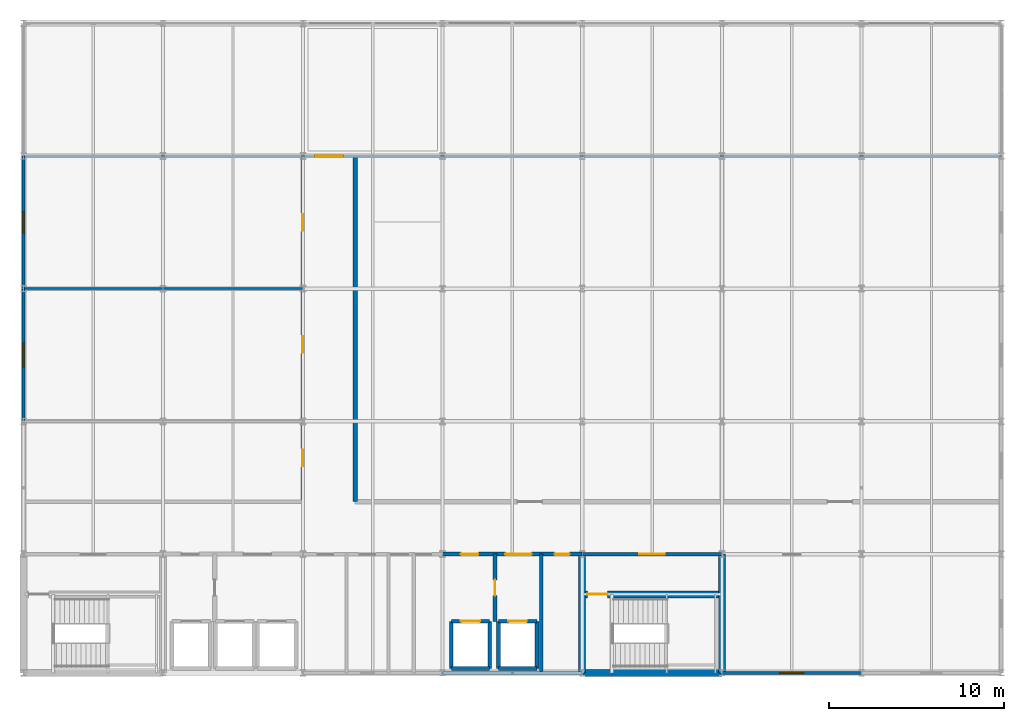
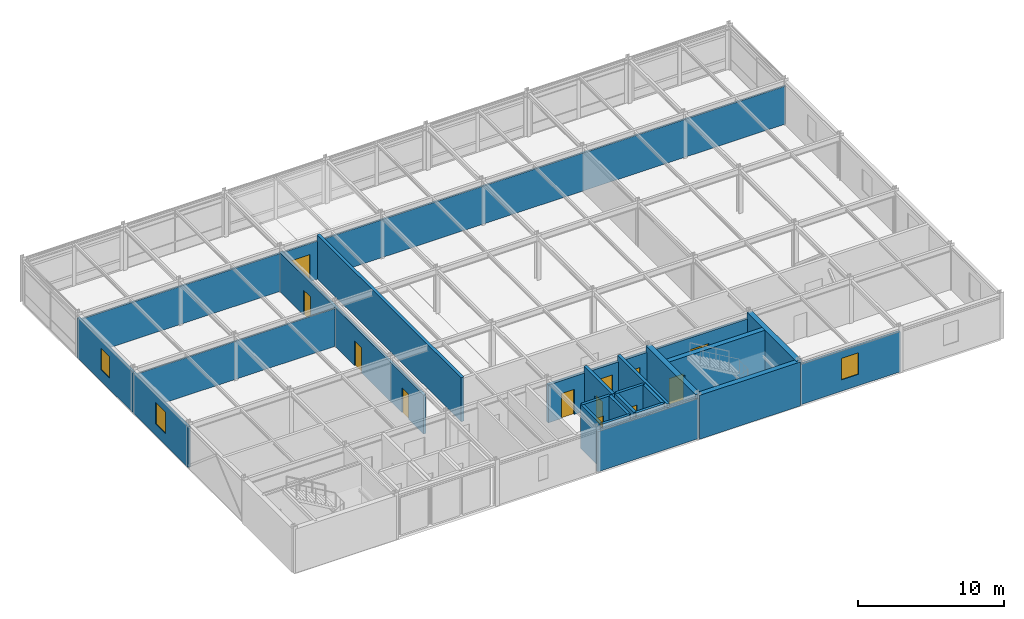
# One storey, part 14 of 16: 24 walls, 12 doors, 3 windows, 15 openings.
"""IFC4 building model written with IfcOpenShell, lengths in metres."""

from ifc_helpers import new_model, si_unit, direction, frame, frame_2d, origin, place, context, subcontext, project, spatial, rectangle, extrude, material, layer, layer_set, type_object, element, fill, save


model = new_model("IFC4")

# Units and contexts
model_context = context("Model", 3, precision=1e-05, world=origin(), true_north=direction((0.0, 1.0)))
body_context = subcontext(model_context, "Body", "Model", "MODEL_VIEW")
ifc_project = project(units=[si_unit("LENGTHUNIT", "METRE"), si_unit("AREAUNIT", "SQUARE_METRE"), si_unit("VOLUMEUNIT", "CUBIC_METRE"), si_unit("PLANEANGLEUNIT", "RADIAN"), si_unit("MASSUNIT", "GRAM", prefix="KILO")], contexts=[model_context])

# Site, building, storey
site_placement = place(None, origin())
site = spatial("IfcSite", under=ifc_project, at=site_placement, CompositionType="ELEMENT")
building_placement = place(site_placement, origin())
building = spatial("IfcBuilding", under=site, at=building_placement, Name="Shalkamar Park Central Library", CompositionType="ELEMENT")
storey_placement = place(building_placement, frame((0.0, 0.0, 43.800048828125)))
storey = spatial("IfcBuildingStorey", under=building, at=storey_placement, Name="L11", CompositionType="ELEMENT", Elevation=43.800048828125)

# Wall, opening, door
ifc_material_1 = material(Name="Acoustic insulated reading partition", Category="masonry")
ifc_layer_1 = layer(ifc_material_1, 0.139892578125)
ifc_layer_set_1 = layer_set([ifc_layer_1], Name="AcousticPartition_140")
wall_type_1 = type_object("IfcWallType", Name="Acoustic Partition 140", PredefinedType="PARTITIONING", material=ifc_layer_set_1)
wall_1_placement = place(storey_placement, frame((165.0, 278.0, 0.0), z_axis=(0.0, 0.0, 1.0), x_axis=(1.0, 0.0, 0.0)))
wall_1 = element("IfcWall", 1, at=wall_1_placement, inside=storey, type_object=wall_type_1, Name="Interior Partition WL-INT-L11-018", PredefinedType="PARTITIONING", context=body_context, shape_type="SweptSolid", body=[
    extrude(rectangle(XDim=56.0, YDim=0.139892578125, at=frame_2d((28.0, 0.0))), origin(), (0.0, 0.0, 1.0), 3.177978515625),
])
opening_1_placement = place(wall_1_placement, frame((16.699951171875, 0.0, 0.0)))
opening_1 = element("IfcOpeningElement", 2, at=opening_1_placement, cuts=wall_1, Name="Opening DR-L11-018", PredefinedType="OPENING", context=body_context, shape_type="SweptSolid", body=[
    extrude(rectangle(XDim=1.60009765625, YDim=2.25, at=frame_2d((0.800048828125, 1.125))), frame((0.0, 0.0849609375, 0.0), z_axis=(0.0, -1.0, 0.0), x_axis=(1.0, 0.0, 0.0)), (0.0, 0.0, 1.0), 0.169677734375),
])
ifc_material_2 = material(Name="Steel S355", Category="steel")
door_type_1 = type_object("IfcDoorType", Name="Interior Door Double 1600x2250", OperationType="DOUBLE_DOOR_SINGLE_SWING", PredefinedType="DOOR", material=ifc_material_2)
door_1_placement = place(opening_1_placement, origin())
door_1 = element("IfcDoor", 3, at=door_1_placement, inside=storey, type_object=door_type_1, Name="L11 Scholarly Reading Room Portal", OperationType="DOUBLE_DOOR_SINGLE_SWING", OverallHeight=2.25, OverallWidth=1.60009765625, PredefinedType="DOOR", context=body_context, shape_type="SweptSolid", body=[
    extrude(rectangle(XDim=1.60009765625, YDim=2.25, at=frame_2d((0.800048828125, 1.125))), frame((0.0, 0.02490234375, 0.0), z_axis=(0.0, -1.0, 0.0), x_axis=(1.0, 0.0, 0.0)), (0.0, 0.0, 1.0), 0.050048828125),
])
fill(opening_1, door_1)

ifc_material_3 = material(Name="Reinforced fire-compartment masonry wall", Category="masonry")
ifc_layer_2 = layer(ifc_material_3, 0.239990234375)
ifc_layer_set_2 = layer_set([ifc_layer_2], Name="CompartmentWall_240")
wall_type_2 = type_object("IfcWallType", Name="Compartment Wall 240", PredefinedType="PARTITIONING", material=ifc_layer_set_2)
wall_2_placement = place(storey_placement, frame((192.0, 251.35009765625, 0.0), z_axis=(0.0, 0.0, 1.0), x_axis=(0.0, 1.0, 0.0)))
wall_2 = element("IfcWall", 4, at=wall_2_placement, inside=storey, type_object=wall_type_2, Name="Interior Partition WL-INT-L11-002", PredefinedType="PARTITIONING", context=body_context, shape_type="SweptSolid", body=[
    extrude(rectangle(XDim=3.849853515625, YDim=0.239990234375, at=frame_2d((1.9248046875, 0.0))), origin(), (0.0, 0.0, 1.0), 3.679931640625),
])
opening_2_placement = place(wall_2_placement, frame((1.47509765625, 0.0, 0.0)))
opening_2 = element("IfcOpeningElement", 5, at=opening_2_placement, cuts=wall_2, Name="Opening DR-L11-002", PredefinedType="OPENING", context=body_context, shape_type="SweptSolid", body=[
    extrude(rectangle(XDim=0.89990234375, YDim=2.10009765625, at=frame_2d((0.449951171875, 1.050048828125))), frame((0.0, 0.134765625, 0.0), z_axis=(0.0, -1.0, 0.0), x_axis=(1.0, 0.0, 0.0)), (0.0, 0.0, 1.0), 0.269775390625),
])
door_type_2 = type_object("IfcDoorType", Name="Fire Door Single 900x2100", OperationType="NOTDEFINED", PredefinedType="DOOR", material=ifc_material_2)
door_2_placement = place(opening_2_placement, origin())
door_2 = element("IfcDoor", 6, at=door_2_placement, inside=storey, type_object=door_type_2, Name="Fire Lobby Interconnect Door", OperationType="SINGLE_SWING_LEFT", OverallHeight=2.10009765625, OverallWidth=0.89990234375, PredefinedType="DOOR", context=body_context, shape_type="SweptSolid", body=[
    extrude(rectangle(XDim=0.89990234375, YDim=2.10009765625, at=frame_2d((0.449951171875, 1.050048828125))), frame((0.0, 0.02490234375, 0.0), z_axis=(0.0, -1.0, 0.0), x_axis=(1.0, 0.0, 0.0)), (0.0, 0.0, 1.0), 0.050048828125),
])
fill(opening_2, door_2)

# Wall, openings, doors
wall_3_placement = place(storey_placement, frame((189.0, 255.199951171875, 0.0), z_axis=(0.0, 0.0, 1.0), x_axis=(1.0, 0.0, 0.0)))
wall_3 = element("IfcWall", 7, at=wall_3_placement, inside=storey, type_object=wall_type_2, Name="Interior Partition WL-INT-L11-009", PredefinedType="PARTITIONING", context=body_context, shape_type="SweptSolid", body=[
    extrude(rectangle(XDim=8.0, YDim=0.239990234375, at=frame_2d((4.0, 0.0))), origin(), (0.0, 0.0, 1.0), 3.177978515625),
])
opening_3_placement = place(wall_3_placement, frame((1.050048828125, 0.0, 0.0)))
opening_3 = element("IfcOpeningElement", 8, at=opening_3_placement, cuts=wall_3, Name="Opening DR-L11-009", PredefinedType="OPENING", context=body_context, shape_type="SweptSolid", body=[
    extrude(rectangle(XDim=1.0, YDim=2.10009765625, at=frame_2d((0.5, 1.050048828125))), frame((0.0, 0.134765625, 0.0), z_axis=(0.0, -1.0, 0.0), x_axis=(1.0, 0.0, 0.0)), (0.0, 0.0, 1.0), 0.269775390625),
])
opening_4_placement = place(wall_3_placement, frame((3.60009765625, 0.0, 0.0)))
opening_4 = element("IfcOpeningElement", 9, at=opening_4_placement, cuts=wall_3, Name="Opening DR-L11-010", PredefinedType="OPENING", context=body_context, shape_type="SweptSolid", body=[
    extrude(rectangle(XDim=1.5, YDim=2.25, at=frame_2d((0.75, 1.125))), frame((0.0, 0.134765625, 0.0), z_axis=(0.0, -1.0, 0.0), x_axis=(1.0, 0.0, 0.0)), (0.0, 0.0, 1.0), 0.269775390625),
])
opening_5_placement = place(wall_3_placement, frame((6.425048828125, 0.0, 0.0)))
opening_5 = element("IfcOpeningElement", 10, at=opening_5_placement, cuts=wall_3, Name="Opening DR-L11-011", PredefinedType="OPENING", context=body_context, shape_type="SweptSolid", body=[
    extrude(rectangle(XDim=0.85009765625, YDim=2.10009765625, at=frame_2d((0.425048828125, 1.050048828125))), frame((0.0, 0.134765625, 0.0), z_axis=(0.0, -1.0, 0.0), x_axis=(1.0, 0.0, 0.0)), (0.0, 0.0, 1.0), 0.269775390625),
])
door_type_3 = type_object("IfcDoorType", Name="Fire Door Riser 850x2100", OperationType="NOTDEFINED", PredefinedType="DOOR", material=ifc_material_2)
door_3_placement = place(opening_5_placement, frame((0.85009765625, 0.0, 0.0), z_axis=(0.0, 0.0, 1.0), x_axis=(-1.0, 0.0, 0.0)))
door_3 = element("IfcDoor", 11, at=door_3_placement, inside=storey, type_object=door_type_3, Name="Mechanical Riser Access Door", OperationType="SINGLE_SWING_LEFT", OverallHeight=2.10009765625, OverallWidth=0.85009765625, PredefinedType="DOOR", context=body_context, shape_type="SweptSolid", body=[
    extrude(rectangle(XDim=0.85009765625, YDim=2.10009765625, at=frame_2d((0.425048828125, 1.050048828125))), frame((0.0, 0.02490234375, 0.0), z_axis=(0.0, -1.0, 0.0), x_axis=(1.0, 0.0, 0.0)), (0.0, 0.0, 1.0), 0.050048828125),
])
fill(opening_5, door_3)
door_type_4 = type_object("IfcDoorType", Name="Fire Door Single 1000x2100", OperationType="NOTDEFINED", PredefinedType="DOOR", material=ifc_material_2)
door_4_placement = place(opening_3_placement, frame((1.0, 0.0, 0.0), z_axis=(0.0, 0.0, 1.0), x_axis=(-1.0, 0.0, 0.0)))
door_4 = element("IfcDoor", 12, at=door_4_placement, inside=storey, type_object=door_type_4, Name="East Firefighting Lobby Door", OperationType="SINGLE_SWING_RIGHT", OverallHeight=2.10009765625, OverallWidth=1.0, PredefinedType="DOOR", context=body_context, shape_type="SweptSolid", body=[
    extrude(rectangle(XDim=1.0, YDim=2.10009765625, at=frame_2d((0.5, 1.050048828125))), frame((0.0, 0.02490234375, 0.0), z_axis=(0.0, -1.0, 0.0), x_axis=(1.0, 0.0, 0.0)), (0.0, 0.0, 1.0), 0.050048828125),
])
fill(opening_3, door_4)
door_type_5 = type_object("IfcDoorType", Name="Interior Door Double 1500x2250", OperationType="DOUBLE_DOOR_SINGLE_SWING", PredefinedType="DOOR", material=ifc_material_2)
door_5_placement = place(opening_4_placement, frame((1.5, 0.0, 0.0), z_axis=(0.0, 0.0, 1.0), x_axis=(-1.0, 0.0, 0.0)))
door_5 = element("IfcDoor", 13, at=door_5_placement, inside=storey, type_object=door_type_5, Name="East Lift Lobby Entrance", OperationType="DOUBLE_DOOR_SINGLE_SWING", OverallHeight=2.25, OverallWidth=1.5, PredefinedType="DOOR", context=body_context, shape_type="SweptSolid", body=[
    extrude(rectangle(XDim=1.5, YDim=2.25, at=frame_2d((0.75, 1.125))), frame((0.0, 0.02490234375, 0.0), z_axis=(0.0, -1.0, 0.0), x_axis=(1.0, 0.0, 0.0)), (0.0, 0.0, 1.0), 0.050048828125),
])
fill(opening_4, door_5)

# Wall
wall_4_placement = place(storey_placement, frame((184.0, 258.199951171875, 0.0), z_axis=(0.0, 0.0, 1.0), x_axis=(0.0, 1.0, 0.0)))
element("IfcWall", 14, at=wall_4_placement, inside=storey, type_object=wall_type_2, Name="Interior Partition WL-INT-L11-015", PredefinedType="PARTITIONING", context=body_context, shape_type="SweptSolid", body=[
    extrude(rectangle(XDim=19.800048828125, YDim=0.239990234375, at=frame_2d((9.89990234375, 0.0))), origin(), (0.0, 0.0, 1.0), 3.679931640625),
])

# Wall, opening, door
ifc_material_4 = material(Name="Fire-rated corridor partition wall", Category="masonry")
ifc_layer_3 = layer(ifc_material_4, 0.199951171875)
ifc_layer_set_3 = layer_set([ifc_layer_3], Name="CorridorFireWall_200")
wall_type_3 = type_object("IfcWallType", Name="Corridor Fire Wall 200", PredefinedType="PARTITIONING", material=ifc_layer_set_3)
wall_5_placement = place(storey_placement, frame((197.0, 255.199951171875, 0.0), z_axis=(0.0, 0.0, 1.0), x_axis=(1.0, 0.0, 0.0)))
wall_5 = element("IfcWall", 15, at=wall_5_placement, inside=storey, type_object=wall_type_3, Name="CORE-T2 Vestibule North Wall (L11)", PredefinedType="PARTITIONING", context=body_context, shape_type="SweptSolid", body=[
    extrude(rectangle(XDim=8.0, YDim=0.199951171875, at=frame_2d((4.0, 0.0))), origin(), (0.0, 0.0, 1.0), 3.177978515625),
])
opening_6_placement = place(wall_5_placement, frame((3.27490234375, 0.0, 0.0)))
opening_6 = element("IfcOpeningElement", 16, at=opening_6_placement, cuts=wall_5, Name="Opening DR-ST-T2-L11-VEST", PredefinedType="OPENING", context=body_context, shape_type="SweptSolid", body=[
    extrude(rectangle(XDim=1.449951171875, YDim=2.199951171875, at=frame_2d((0.72509765625, 1.10009765625))), frame((0.0, 0.11474609375, 0.0), z_axis=(0.0, -1.0, 0.0), x_axis=(1.0, 0.0, 0.0)), (0.0, 0.0, 1.0), 0.229736328125),
])
door_type_6 = type_object("IfcDoorType", Name="Stair Vestibule Door 1450x2200", OperationType="DOUBLE_DOOR_SINGLE_SWING", PredefinedType="DOOR", material=ifc_material_2)
door_6_placement = place(opening_6_placement, frame((1.449951171875, 0.0, 0.0), z_axis=(0.0, 0.0, 1.0), x_axis=(-1.0, 0.0, 0.0)))
door_6 = element("IfcDoor", 17, at=door_6_placement, inside=storey, type_object=door_type_6, Name="Protected Stair ST-T2 Vestibule Door (L11)", OperationType="DOUBLE_DOOR_SINGLE_SWING", OverallHeight=2.199951171875, OverallWidth=1.449951171875, PredefinedType="DOOR", context=body_context, shape_type="SweptSolid", body=[
    extrude(rectangle(XDim=1.449951171875, YDim=2.199951171875, at=frame_2d((0.72509765625, 1.10009765625))), frame((0.0, 0.02490234375, 0.0), z_axis=(0.0, -1.0, 0.0), x_axis=(1.0, 0.0, 0.0)), (0.0, 0.0, 1.0), 0.050048828125),
])
fill(opening_6, door_6)

# Wall, openings, doors
wall_6_placement = place(storey_placement, frame((181.0, 258.199951171875, 0.0), z_axis=(0.0, 0.0, 1.0), x_axis=(0.0, 1.0, 0.0)))
wall_6 = element("IfcWall", 18, at=wall_6_placement, inside=storey, type_object=wall_type_3, Name="Interior Partition WL-INT-L11-012", PredefinedType="PARTITIONING", context=body_context, shape_type="SweptSolid", body=[
    extrude(rectangle(XDim=19.800048828125, YDim=0.199951171875, at=frame_2d((9.89990234375, 0.0))), origin(), (0.0, 0.0, 1.0), 3.27783203125),
])
opening_7_placement = place(wall_6_placement, frame((2.02490234375, 0.0, 0.0)))
opening_7 = element("IfcOpeningElement", 19, at=opening_7_placement, cuts=wall_6, Name="Opening DR-L11-013", PredefinedType="OPENING", context=body_context, shape_type="SweptSolid", body=[
    extrude(rectangle(XDim=0.949951171875, YDim=2.10009765625, at=frame_2d((0.47509765625, 1.050048828125))), frame((0.0, 0.11474609375, 0.0), z_axis=(0.0, -1.0, 0.0), x_axis=(1.0, 0.0, 0.0)), (0.0, 0.0, 1.0), 0.229736328125),
])
opening_8_placement = place(wall_6_placement, frame((8.52490234375, 0.0, 0.0)))
opening_8 = element("IfcOpeningElement", 20, at=opening_8_placement, cuts=wall_6, Name="Opening DR-L11-014", PredefinedType="OPENING", context=body_context, shape_type="SweptSolid", body=[
    extrude(rectangle(XDim=0.949951171875, YDim=2.10009765625, at=frame_2d((0.47509765625, 1.050048828125))), frame((0.0, 0.11474609375, 0.0), z_axis=(0.0, -1.0, 0.0), x_axis=(1.0, 0.0, 0.0)), (0.0, 0.0, 1.0), 0.229736328125),
])
opening_9_placement = place(wall_6_placement, frame((15.52490234375, 0.0, 0.0)))
opening_9 = element("IfcOpeningElement", 21, at=opening_9_placement, cuts=wall_6, Name="Opening DR-L11-015", PredefinedType="OPENING", context=body_context, shape_type="SweptSolid", body=[
    extrude(rectangle(XDim=0.949951171875, YDim=2.10009765625, at=frame_2d((0.47509765625, 1.050048828125))), frame((0.0, 0.11474609375, 0.0), z_axis=(0.0, -1.0, 0.0), x_axis=(1.0, 0.0, 0.0)), (0.0, 0.0, 1.0), 0.229736328125),
])
door_type_7 = type_object("IfcDoorType", Name="Interior Door Single 950x2100", OperationType="NOTDEFINED", PredefinedType="DOOR", material=ifc_material_2)
door_7_placement = place(opening_7_placement, origin())
door_7 = element("IfcDoor", 22, at=door_7_placement, inside=storey, type_object=door_type_7, Name="L11 Study Suite 1 Door", OperationType="SINGLE_SWING_LEFT", OverallHeight=2.10009765625, OverallWidth=0.949951171875, PredefinedType="DOOR", context=body_context, shape_type="SweptSolid", body=[
    extrude(rectangle(XDim=0.949951171875, YDim=2.10009765625, at=frame_2d((0.47509765625, 1.050048828125))), frame((0.0, 0.02490234375, 0.0), z_axis=(0.0, -1.0, 0.0), x_axis=(1.0, 0.0, 0.0)), (0.0, 0.0, 1.0), 0.050048828125),
])
fill(opening_7, door_7)
door_8_placement = place(opening_8_placement, origin())
door_8 = element("IfcDoor", 23, at=door_8_placement, inside=storey, type_object=door_type_7, Name="L11 Study Suite 2 Door", OperationType="SINGLE_SWING_LEFT", OverallHeight=2.10009765625, OverallWidth=0.949951171875, PredefinedType="DOOR", context=body_context, shape_type="SweptSolid", body=[
    extrude(rectangle(XDim=0.949951171875, YDim=2.10009765625, at=frame_2d((0.47509765625, 1.050048828125))), frame((0.0, 0.02490234375, 0.0), z_axis=(0.0, -1.0, 0.0), x_axis=(1.0, 0.0, 0.0)), (0.0, 0.0, 1.0), 0.050048828125),
])
fill(opening_8, door_8)
door_9_placement = place(opening_9_placement, origin())
door_9 = element("IfcDoor", 24, at=door_9_placement, inside=storey, type_object=door_type_7, Name="L11 Study Suite 3 Door", OperationType="SINGLE_SWING_RIGHT", OverallHeight=2.10009765625, OverallWidth=0.949951171875, PredefinedType="DOOR", context=body_context, shape_type="SweptSolid", body=[
    extrude(rectangle(XDim=0.949951171875, YDim=2.10009765625, at=frame_2d((0.47509765625, 1.050048828125))), frame((0.0, 0.02490234375, 0.0), z_axis=(0.0, -1.0, 0.0), x_axis=(1.0, 0.0, 0.0)), (0.0, 0.0, 1.0), 0.050048828125),
])
fill(opening_9, door_9)

# Walls
ifc_material_5 = material(Name="Concrete C40/50", Category="concrete")
ifc_layer_4 = layer(ifc_material_5, 0.219970703125)
ifc_layer_set_4 = layer_set([ifc_layer_4], Name="Concrete C40/50")
wall_type_4 = type_object("IfcWallType", Name="Lift Hoistway Shear Wall 220", PredefinedType="SHEAR", material=ifc_layer_set_4)
wall_7_placement = place(storey_placement, frame((189.5, 248.64990234375, 0.0), z_axis=(0.0, 0.0, 1.0), x_axis=(1.0, 0.0, 0.0)))
element("IfcWall", 25, at=wall_7_placement, inside=storey, type_object=wall_type_4, Name="Lift FFL-02 Hoistway South Wall (L11)", PredefinedType="SHEAR", context=body_context, shape_type="SweptSolid", body=[
    extrude(rectangle(XDim=2.199951171875, YDim=0.219970703125, at=frame_2d((1.10009765625, 0.0))), origin(), (0.0, 0.0, 1.0), 3.679931640625),
])
for number, where, z_axis, x_axis, name in (
    (26, (189.5, 248.64990234375, 0.0), (0.0, 0.0, 1.0), (0.0, 1.0, 0.0), "Lift FFL-02 Hoistway West Wall (L11)"),
    (27, (191.699951171875, 248.64990234375, 0.0), (0.0, 0.0, 1.0), (0.0, 1.0, 0.0), "Lift FFL-02 Hoistway East Wall (L11)"),
):
    element("IfcWall", number, at=place(storey_placement, frame(where, z_axis=z_axis, x_axis=x_axis)), inside=storey, type_object=wall_type_4, Name=name, PredefinedType="SHEAR", context=body_context, shape_type="SweptSolid", body=[
        extrude(rectangle(XDim=2.7001953125, YDim=0.219970703125, at=frame_2d((1.35009765625, 0.0))), origin(), (0.0, 0.0, 1.0), 3.679931640625),
    ])

# Wall, opening, door
wall_8_placement = place(storey_placement, frame((189.5, 251.35009765625, 0.0), z_axis=(0.0, 0.0, 1.0), x_axis=(1.0, 0.0, 0.0)))
wall_8 = element("IfcWall", 28, at=wall_8_placement, inside=storey, type_object=wall_type_4, Name="Lift FFL-02 Hoistway Front Wall (L11)", PredefinedType="SHEAR", context=body_context, shape_type="SweptSolid", body=[
    extrude(rectangle(XDim=2.199951171875, YDim=0.219970703125, at=frame_2d((1.10009765625, 0.0))), origin(), (0.0, 0.0, 1.0), 3.679931640625),
])
opening_10_placement = place(wall_8_placement, frame((0.550048828125, 0.0, 0.0)))
opening_10 = element("IfcOpeningElement", 29, at=opening_10_placement, cuts=wall_8, Name="Opening LD-FFL-02-L11", PredefinedType="OPENING", context=body_context, shape_type="SweptSolid", body=[
    extrude(rectangle(XDim=1.10009765625, YDim=2.14990234375, at=frame_2d((0.550048828125, 1.074951171875))), frame((0.0, 0.125, 0.0), z_axis=(0.0, -1.0, 0.0), x_axis=(1.0, 0.0, 0.0)), (0.0, 0.0, 1.0), 0.249755859375),
])
door_type_8 = type_object("IfcDoorType", Name="Fire Lift Landing Door 1100x2150", OperationType="DOUBLE_DOOR_SLIDING", PredefinedType="USERDEFINED", material=ifc_material_2)
door_10_placement = place(opening_10_placement, origin())
door_10 = element("IfcDoor", 30, at=door_10_placement, inside=storey, type_object=door_type_8, Name="Lift FFL-02 Sliding Landing Door (L11)", ObjectType="SLIDING LANDING DOOR", OperationType="DOUBLE_DOOR_SLIDING", OverallHeight=2.14990234375, OverallWidth=1.10009765625, PredefinedType="USERDEFINED", context=body_context, shape_type="SweptSolid", body=[
    extrude(rectangle(XDim=1.10009765625, YDim=2.14990234375, at=frame_2d((0.550048828125, 1.074951171875))), frame((0.0, 0.02490234375, 0.0), z_axis=(0.0, -1.0, 0.0), x_axis=(1.0, 0.0, 0.0)), (0.0, 0.0, 1.0), 0.050048828125),
])
fill(opening_10, door_10)

# Walls
wall_9_placement = place(storey_placement, frame((192.199951171875, 248.64990234375, 0.0), z_axis=(0.0, 0.0, 1.0), x_axis=(1.0, 0.0, 0.0)))
element("IfcWall", 31, at=wall_9_placement, inside=storey, type_object=wall_type_4, Name="Lift LT-03 Hoistway South Wall (L11)", PredefinedType="SHEAR", context=body_context, shape_type="SweptSolid", body=[
    extrude(rectangle(XDim=2.199951171875, YDim=0.219970703125, at=frame_2d((1.10009765625, 0.0))), origin(), (0.0, 0.0, 1.0), 3.679931640625),
])
for number, where, z_axis, x_axis, name in (
    (32, (192.199951171875, 248.64990234375, 0.0), (0.0, 0.0, 1.0), (0.0, 1.0, 0.0), "Lift LT-03 Hoistway West Wall (L11)"),
    (33, (194.39990234375, 248.64990234375, 0.0), (0.0, 0.0, 1.0), (0.0, 1.0, 0.0), "Lift LT-03 Hoistway East Wall (L11)"),
):
    element("IfcWall", number, at=place(storey_placement, frame(where, z_axis=z_axis, x_axis=x_axis)), inside=storey, type_object=wall_type_4, Name=name, PredefinedType="SHEAR", context=body_context, shape_type="SweptSolid", body=[
        extrude(rectangle(XDim=2.7001953125, YDim=0.219970703125, at=frame_2d((1.35009765625, 0.0))), origin(), (0.0, 0.0, 1.0), 3.679931640625),
    ])

# Wall, opening, door
wall_10_placement = place(storey_placement, frame((192.199951171875, 251.35009765625, 0.0), z_axis=(0.0, 0.0, 1.0), x_axis=(1.0, 0.0, 0.0)))
wall_10 = element("IfcWall", 34, at=wall_10_placement, inside=storey, type_object=wall_type_4, Name="Lift LT-03 Hoistway Front Wall (L11)", PredefinedType="SHEAR", context=body_context, shape_type="SweptSolid", body=[
    extrude(rectangle(XDim=2.199951171875, YDim=0.219970703125, at=frame_2d((1.10009765625, 0.0))), origin(), (0.0, 0.0, 1.0), 3.679931640625),
])
opening_11_placement = place(wall_10_placement, frame((0.574951171875, 0.0, 0.0)))
opening_11 = element("IfcOpeningElement", 35, at=opening_11_placement, cuts=wall_10, Name="Opening LD-LT-03-L11", PredefinedType="OPENING", context=body_context, shape_type="SweptSolid", body=[
    extrude(rectangle(XDim=1.050048828125, YDim=2.14990234375, at=frame_2d((0.52490234375, 1.074951171875))), frame((0.0, 0.125, 0.0), z_axis=(0.0, -1.0, 0.0), x_axis=(1.0, 0.0, 0.0)), (0.0, 0.0, 1.0), 0.249755859375),
])
door_type_9 = type_object("IfcDoorType", Name="Passenger Lift Landing Door 1050x2150", OperationType="DOUBLE_DOOR_SLIDING", PredefinedType="USERDEFINED", material=ifc_material_2)
door_11_placement = place(opening_11_placement, origin())
door_11 = element("IfcDoor", 36, at=door_11_placement, inside=storey, type_object=door_type_9, Name="Lift LT-03 Sliding Landing Door (L11)", ObjectType="SLIDING LANDING DOOR", OperationType="DOUBLE_DOOR_SLIDING", OverallHeight=2.14990234375, OverallWidth=1.050048828125, PredefinedType="USERDEFINED", context=body_context, shape_type="SweptSolid", body=[
    extrude(rectangle(XDim=1.050048828125, YDim=2.14990234375, at=frame_2d((0.52490234375, 1.074951171875))), frame((0.0, 0.02490234375, 0.0), z_axis=(0.0, -1.0, 0.0), x_axis=(1.0, 0.0, 0.0)), (0.0, 0.0, 1.0), 0.050048828125),
])
fill(opening_11, door_11)

# Walls
ifc_material_6 = material(Name="Fire-rated shaft enclosure wall", Category="masonry")
ifc_layer_5 = layer(ifc_material_6, 0.219970703125)
ifc_layer_set_5 = layer_set([ifc_layer_5], Name="ShaftWall_220")
wall_type_5 = type_object("IfcWallType", Name="Shaft Wall 220", PredefinedType="PARTITIONING", material=ifc_layer_set_5)
wall_11_placement = place(storey_placement, frame((194.64990234375, 248.39990234375, 0.0), z_axis=(0.0, 0.0, 1.0), x_axis=(0.0, 1.0, 0.0)))
element("IfcWall", 37, at=wall_11_placement, inside=storey, type_object=wall_type_5, Name="Interior Partition WL-INT-L11-003", PredefinedType="PARTITIONING", context=body_context, shape_type="SweptSolid", body=[
    extrude(rectangle(XDim=6.800048828125, YDim=0.219970703125, at=frame_2d((3.39990234375, 0.0))), origin(), (0.0, 0.0, 1.0), 3.679931640625),
])
ifc_material_7 = material(Name="Lightweight acoustic stud partition", Category="masonry")
ifc_layer_6 = layer(ifc_material_7, 0.1201171875)
ifc_layer_set_6 = layer_set([ifc_layer_6], Name="StandardPartition_120")
wall_type_6 = type_object("IfcWallType", Name="Standard Partition 120", PredefinedType="PARTITIONING", material=ifc_layer_set_6)
wall_12_placement = place(storey_placement, frame((165.0, 270.39990234375, 0.0), z_axis=(0.0, 0.0, 1.0), x_axis=(1.0, 0.0, 0.0)))
element("IfcWall", 38, at=wall_12_placement, inside=storey, type_object=wall_type_6, Name="Interior Partition WL-INT-L11-014", PredefinedType="PARTITIONING", context=body_context, shape_type="SweptSolid", body=[
    extrude(rectangle(XDim=16.0, YDim=0.1201171875, at=frame_2d((8.0, 0.0))), origin(), (0.0, 0.0, 1.0), 3.177978515625),
])
ifc_layer_7 = layer(ifc_material_5, 0.39990234375)
ifc_layer_set_7 = layer_set([ifc_layer_7], Name="Concrete C40/50")
wall_type_7 = type_object("IfcWallType", Name="Tower Core Shear Wall 400", PredefinedType="SHEAR", material=ifc_layer_set_7)
wall_13_placement = place(storey_placement, frame((197.0, 248.39990234375, 0.0), z_axis=(0.0, 0.0, 1.0), x_axis=(1.0, 0.0, 0.0)))
element("IfcWall", 39, at=wall_13_placement, inside=storey, type_object=wall_type_7, Name="CORE-T2 South Shear Wall (L11)", PredefinedType="SHEAR", context=body_context, shape_type="SweptSolid", body=[
    extrude(rectangle(XDim=8.0, YDim=0.39990234375, at=frame_2d((4.0, 0.0))), origin(), (0.0, 0.0, 1.0), 3.679931640625),
])
for number, where, z_axis, x_axis, name in (
    (40, (197.0, 248.39990234375, 0.0), (0.0, 0.0, 1.0), (0.0, 1.0, 0.0), "CORE-T2 West Shear Wall (L11)"),
    (41, (205.0, 248.39990234375, 0.0), (0.0, 0.0, 1.0), (0.0, 1.0, 0.0), "CORE-T2 East Shear Wall (L11)"),
):
    element("IfcWall", number, at=place(storey_placement, frame(where, z_axis=z_axis, x_axis=x_axis)), inside=storey, type_object=wall_type_7, Name=name, PredefinedType="SHEAR", context=body_context, shape_type="SweptSolid", body=[
        extrude(rectangle(XDim=6.800048828125, YDim=0.39990234375, at=frame_2d((3.39990234375, 0.0))), origin(), (0.0, 0.0, 1.0), 3.679931640625),
    ])

# Wall, opening, door
wall_14_placement = place(storey_placement, frame((197.0, 252.89990234375, 0.0), z_axis=(0.0, 0.0, 1.0), x_axis=(1.0, 0.0, 0.0)))
wall_14 = element("IfcWall", 42, at=wall_14_placement, inside=storey, type_object=wall_type_7, Name="CORE-T2 Stairwell Wall (L11)", PredefinedType="SHEAR", context=body_context, shape_type="SweptSolid", body=[
    extrude(rectangle(XDim=8.0, YDim=0.39990234375, at=frame_2d((4.0, 0.0))), origin(), (0.0, 0.0, 1.0), 3.679931640625),
])
opening_12_placement = place(wall_14_placement, frame((0.300048828125, 0.0, 0.0)))
opening_12 = element("IfcOpeningElement", 43, at=opening_12_placement, cuts=wall_14, Name="Opening DR-ST-T2-L11-IN", PredefinedType="OPENING", context=body_context, shape_type="SweptSolid", body=[
    extrude(rectangle(XDim=1.14990234375, YDim=2.14990234375, at=frame_2d((0.574951171875, 1.074951171875))), frame((0.0, 0.21484375, 0.0), z_axis=(0.0, -1.0, 0.0), x_axis=(1.0, 0.0, 0.0)), (0.0, 0.0, 1.0), 0.4296875),
])
door_type_10 = type_object("IfcDoorType", Name="Stair Core Exit Door 1150x2150", OperationType="NOTDEFINED", PredefinedType="DOOR", material=ifc_material_2)
door_12_placement = place(opening_12_placement, frame((1.14990234375, 0.0, 0.0), z_axis=(0.0, 0.0, 1.0), x_axis=(-1.0, 0.0, 0.0)))
door_12 = element("IfcDoor", 44, at=door_12_placement, inside=storey, type_object=door_type_10, Name="Protected Stair ST-T2 Exit Door (L11)", OperationType="SINGLE_SWING_RIGHT", OverallHeight=2.14990234375, OverallWidth=1.14990234375, PredefinedType="DOOR", context=body_context, shape_type="SweptSolid", body=[
    extrude(rectangle(XDim=1.14990234375, YDim=2.14990234375, at=frame_2d((0.574951171875, 1.074951171875))), frame((0.0, 0.02490234375, 0.0), z_axis=(0.0, -1.0, 0.0), x_axis=(1.0, 0.0, 0.0)), (0.0, 0.0, 1.0), 0.050048828125),
])
fill(opening_12, door_12)

# Wall
ifc_material_8 = material(Name="Terracotta insulated wall panel", Category="masonry")
ifc_layer_8 = layer(ifc_material_8, 0.179931640625)
ifc_layer_set_8 = layer_set([ifc_layer_8], Name="TowerSpandrelWall_180")
wall_type_8 = type_object("IfcWallType", Name="Tower Spandrel Wall 180", PredefinedType="SOLIDWALL", material=ifc_layer_set_8)
wall_15_placement = place(storey_placement, frame((189.006103515625, 248.39990234375, 0.0), z_axis=(0.0, 0.0, 1.0), x_axis=(1.0, 0.0, 0.0)))
element("IfcWall", 45, at=wall_15_placement, inside=storey, type_object=wall_type_8, Name="Exterior Facade Wall WL-EXT-L11-213", PredefinedType="SOLIDWALL", context=body_context, shape_type="SweptSolid", body=[
    extrude(rectangle(XDim=7.98779296875, YDim=0.179931640625, at=frame_2d((3.993896484375, 0.0))), origin(), (0.0, 0.0, 1.0), 3.367919921875),
])

# Wall, opening, window
wall_16_placement = place(storey_placement, frame((205.006103515625, 248.39990234375, 0.0), z_axis=(0.0, 0.0, 1.0), x_axis=(1.0, 0.0, 0.0)))
wall_16 = element("IfcWall", 46, at=wall_16_placement, inside=storey, type_object=wall_type_8, Name="Exterior Facade Wall WL-EXT-L11-214", PredefinedType="SOLIDWALL", context=body_context, shape_type="SweptSolid", body=[
    extrude(rectangle(XDim=7.98779296875, YDim=0.179931640625, at=frame_2d((3.993896484375, 0.0))), origin(), (0.0, 0.0, 1.0), 3.367919921875),
])
opening_13_placement = place(wall_16_placement, frame((3.319091796875, 0.0, 0.949951171875)))
opening_13 = element("IfcOpeningElement", 47, at=opening_13_placement, cuts=wall_16, Name="Opening WN-15", PredefinedType="OPENING", context=body_context, shape_type="SweptSolid", body=[
    extrude(rectangle(XDim=1.35009765625, YDim=1.800048828125, at=frame_2d((0.675048828125, 0.89990234375))), frame((0.0, 0.10498046875, 0.0), z_axis=(0.0, -1.0, 0.0), x_axis=(1.0, 0.0, 0.0)), (0.0, 0.0, 1.0), 0.209716796875),
])
ifc_material_9 = material(Name="Thermally broken aluminium and triple low-e glass", Category="glass")
window_type_1 = type_object("IfcWindowType", Name="Tower Window 1350x1800", PartitioningType="SINGLE_PANEL", PredefinedType="WINDOW", material=ifc_material_9)
window_1_placement = place(opening_13_placement, origin())
window_1 = element("IfcWindow", 48, at=window_1_placement, inside=storey, type_object=window_type_1, Name="Facade Window WN-L11-154", OverallHeight=1.800048828125, OverallWidth=1.35009765625, PartitioningType="SINGLE_PANEL", PredefinedType="WINDOW", context=body_context, shape_type="SweptSolid", body=[
    extrude(rectangle(XDim=1.35009765625, YDim=1.800048828125, at=frame_2d((0.675048828125, 0.89990234375))), frame((0.0, 0.030029296875, 0.0), z_axis=(0.0, -1.0, 0.0), x_axis=(1.0, 0.0, 0.0)), (0.0, 0.0, 1.0), 0.06005859375),
])
fill(opening_13, window_1)

wall_17_placement = place(storey_placement, frame((165.0, 262.805908203125, 0.0), z_axis=(0.0, 0.0, 1.0), x_axis=(0.0, 1.0, 0.0)))
wall_17 = element("IfcWall", 49, at=wall_17_placement, inside=storey, type_object=wall_type_8, Name="Exterior Facade Wall WL-EXT-L11-217", PredefinedType="SOLIDWALL", context=body_context, shape_type="SweptSolid", body=[
    extrude(rectangle(XDim=7.588134765625, YDim=0.179931640625, at=frame_2d((3.7939453125, 0.0))), origin(), (0.0, 0.0, 1.0), 3.407958984375),
])
opening_14_placement = place(wall_17_placement, frame((3.118896484375, 0.0, 0.949951171875)))
opening_14 = element("IfcOpeningElement", 50, at=opening_14_placement, cuts=wall_17, Name="Opening WN-15", PredefinedType="OPENING", context=body_context, shape_type="SweptSolid", body=[
    extrude(rectangle(XDim=1.35009765625, YDim=1.800048828125, at=frame_2d((0.675048828125, 0.89990234375))), frame((0.0, 0.10498046875, 0.0), z_axis=(0.0, -1.0, 0.0), x_axis=(1.0, 0.0, 0.0)), (0.0, 0.0, 1.0), 0.209716796875),
])
window_2_placement = place(opening_14_placement, origin())
window_2 = element("IfcWindow", 51, at=window_2_placement, inside=storey, type_object=window_type_1, Name="Facade Window WN-L11-156", OverallHeight=1.800048828125, OverallWidth=1.35009765625, PartitioningType="SINGLE_PANEL", PredefinedType="WINDOW", context=body_context, shape_type="SweptSolid", body=[
    extrude(rectangle(XDim=1.35009765625, YDim=1.800048828125, at=frame_2d((0.675048828125, 0.89990234375))), frame((0.0, 0.030029296875, 0.0), z_axis=(0.0, -1.0, 0.0), x_axis=(1.0, 0.0, 0.0)), (0.0, 0.0, 1.0), 0.06005859375),
])
fill(opening_14, window_2)

wall_18_placement = place(storey_placement, frame((165.0, 270.406005859375, 0.0), z_axis=(0.0, 0.0, 1.0), x_axis=(0.0, 1.0, 0.0)))
wall_18 = element("IfcWall", 52, at=wall_18_placement, inside=storey, type_object=wall_type_8, Name="Exterior Facade Wall WL-EXT-L11-218", PredefinedType="SOLIDWALL", context=body_context, shape_type="SweptSolid", body=[
    extrude(rectangle(XDim=7.587890625, YDim=0.179931640625, at=frame_2d((3.7939453125, 0.0))), origin(), (0.0, 0.0, 1.0), 3.407958984375),
])
opening_15_placement = place(wall_18_placement, frame((3.194091796875, 0.0, 0.949951171875)))
opening_15 = element("IfcOpeningElement", 53, at=opening_15_placement, cuts=wall_18, Name="Opening WN-16", PredefinedType="OPENING", context=body_context, shape_type="SweptSolid", body=[
    extrude(rectangle(XDim=1.199951171875, YDim=1.800048828125, at=frame_2d((0.60009765625, 0.89990234375))), frame((0.0, 0.10498046875, 0.0), z_axis=(0.0, -1.0, 0.0), x_axis=(1.0, 0.0, 0.0)), (0.0, 0.0, 1.0), 0.209716796875),
])
window_type_2 = type_object("IfcWindowType", Name="Tower Window 1200x1800", PartitioningType="SINGLE_PANEL", PredefinedType="WINDOW", material=ifc_material_9)
window_3_placement = place(opening_15_placement, origin())
window_3 = element("IfcWindow", 54, at=window_3_placement, inside=storey, type_object=window_type_2, Name="Facade Window WN-L11-157", OverallHeight=1.800048828125, OverallWidth=1.199951171875, PartitioningType="SINGLE_PANEL", PredefinedType="WINDOW", context=body_context, shape_type="SweptSolid", body=[
    extrude(rectangle(XDim=1.199951171875, YDim=1.800048828125, at=frame_2d((0.60009765625, 0.89990234375))), frame((0.0, 0.030029296875, 0.0), z_axis=(0.0, -1.0, 0.0), x_axis=(1.0, 0.0, 0.0)), (0.0, 0.0, 1.0), 0.06005859375),
])
fill(opening_15, window_3)

save(model, "model.ifc")
